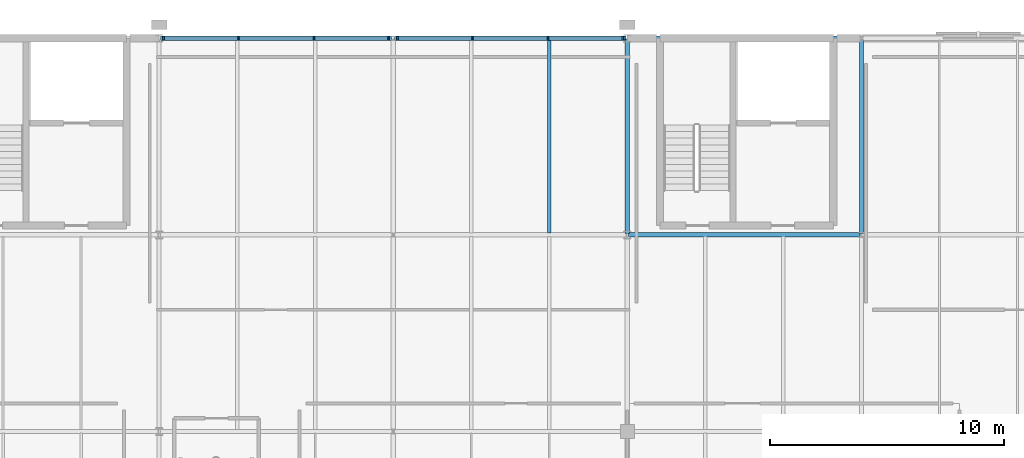
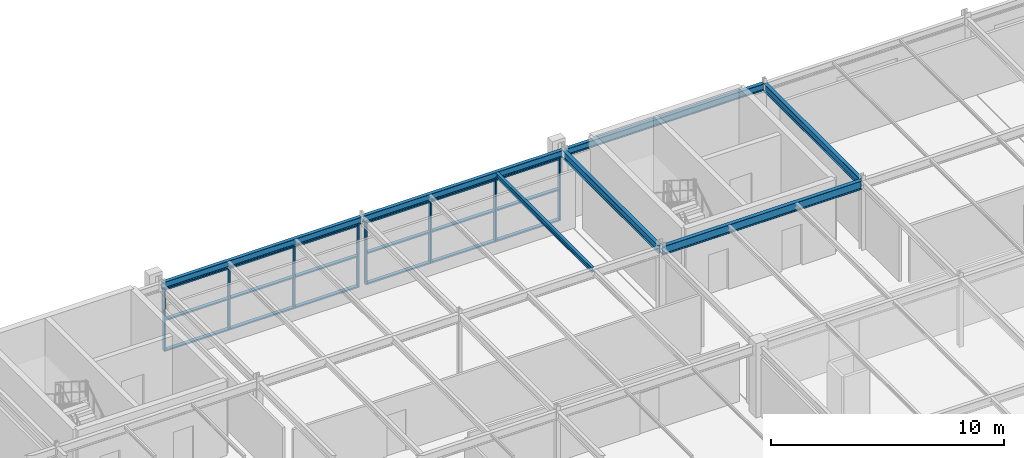
# One storey, part 57 of 98: 26 members, 7 beams, 2 elements without a shape of their own.
"""IFC4 building model written with IfcOpenShell, lengths in metres."""

from ifc_helpers import new_model, si_unit, derived_unit, direction, frame, origin, origin_2d_with_axis, place, context, subcontext, project, spatial, rectangle, i_section, extrude, material, material_profile, profile_set, type_object, element, aggregate, save


model = new_model("IFC4")

# Units and contexts
model_context = context("Model", 3, precision=1e-05, world=origin(), true_north=direction((0.0, 1.0)))
body_context = subcontext(model_context, "Body", "Model", "MODEL_VIEW")
ifc_project = project(units=[si_unit("LENGTHUNIT", "METRE"), si_unit("AREAUNIT", "SQUARE_METRE"), si_unit("VOLUMEUNIT", "CUBIC_METRE"), si_unit("PLANEANGLEUNIT", "RADIAN"), si_unit("MASSUNIT", "GRAM", prefix="KILO"), derived_unit("THERMALTRANSMITTANCEUNIT", [(si_unit("POWERUNIT", "WATT"), 1), (si_unit("LENGTHUNIT", "METRE"), -2), (si_unit("THERMODYNAMICTEMPERATUREUNIT", "KELVIN"), -1)])], contexts=[model_context])

# Site, building, storey
site_placement = place(None, origin())
site = spatial("IfcSite", under=ifc_project, at=site_placement, CompositionType="ELEMENT")
building_placement = place(site_placement, origin())
building = spatial("IfcBuilding", under=site, at=building_placement, Name="Cinnabar Yard Market Hall", CompositionType="ELEMENT")
storey_placement = place(building_placement, frame((0.0, 0.0, 4.5)))
storey = spatial("IfcBuildingStorey", under=building, at=storey_placement, Name="L01", CompositionType="ELEMENT", Elevation=4.5)

# Beams
ifc_material_1 = material(Name="Steel Grade 300 (300 MPa)", Category="steel")
ifc_material_profile_1 = material_profile(ifc_material_1, i_section(OverallWidth=0.18994140625, OverallDepth=0.453857421875, WebThickness=0.008544921875, FlangeThickness=0.0126953125, FilletRadius=0.011474609375, at=origin_2d_with_axis()), Name="460UB67.1")
ifc_profile_set_1 = profile_set([ifc_material_profile_1], Name="Steel Grade 300 (300 MPa)")
beam_type_1 = type_object("IfcBeamType", Name="BM-B05", PredefinedType="BEAM", material=ifc_profile_set_1)
beam_1_placement = place(storey_placement, frame((126.06005859375, 129.60009765625, 3.423095703125), z_axis=(1.0, 0.0, 0.0), x_axis=(0.0, 1.0, 0.0)))
element("IfcBeam", 1, at=beam_1_placement, inside=storey, type_object=beam_type_1, Name="V3 L01 Girder X 01056", PredefinedType="BEAM", context=body_context, shape_type="SweptSolid", body=[
    extrude(i_section(OverallWidth=0.18994140625, OverallDepth=0.453857421875, WebThickness=0.008544921875, FlangeThickness=0.0126953125, FilletRadius=0.011474609375, at=origin_2d_with_axis()), origin(), (0.0, 0.0, 1.0), 9.8798828125),
])
ifc_material_profile_2 = material_profile(ifc_material_1, i_section(OverallWidth=0.177978515625, OverallDepth=0.406494140625, WebThickness=0.0078125, FlangeThickness=0.0126953125, FilletRadius=0.011474609375, at=origin_2d_with_axis()), Name="410UB59.7")
ifc_profile_set_2 = profile_set([ifc_material_profile_2], Name="Steel Grade 300 (300 MPa)")
beam_type_2 = type_object("IfcBeamType", Name="BM-B06", PredefinedType="BEAM", material=ifc_profile_set_2)
for number, where, z_axis, x_axis, name in (
    (2, (126.0, 129.659912109375, 3.44677734375), (0.0, 1.0, 0.0), (-1.0, 0.0, 0.0), "V3 L01 Girder Y 01100"),
    (3, (136.0, 129.659912109375, 3.44677734375), (0.0, 1.0, 0.0), (-1.0, 0.0, 0.0), "V3 L01 Girder Y 01104"),
):
    element("IfcBeam", number, at=place(storey_placement, frame(where, z_axis=z_axis, x_axis=x_axis)), inside=storey, type_object=beam_type_2, Name=name, PredefinedType="BEAM", context=body_context, shape_type="SweptSolid", body=[
        extrude(i_section(OverallWidth=0.177978515625, OverallDepth=0.406494140625, WebThickness=0.0078125, FlangeThickness=0.0126953125, FilletRadius=0.011474609375, at=origin_2d_with_axis()), origin(), (0.0, 0.0, 1.0), 8.280029296875),
    ])
ifc_material_profile_3 = material_profile(ifc_material_1, i_section(OverallWidth=0.14599609375, OverallDepth=0.256103515625, WebThickness=0.00634765625, FlangeThickness=0.010986328125, FilletRadius=0.0087890625, at=origin_2d_with_axis()), Name="250UB37.3")
ifc_profile_set_3 = profile_set([ifc_material_profile_3], Name="Steel Grade 300 (300 MPa)")
beam_type_3 = type_object("IfcBeamType", Name="BM-J03", PredefinedType="JOIST", material=ifc_profile_set_3)
beam_2_placement = place(storey_placement, frame((122.666748046875, 129.675048828125, 3.52197265625), z_axis=(0.0, 1.0, 0.0), x_axis=(-1.0, 0.0, 0.0)))
element("IfcBeam", 4, at=beam_2_placement, inside=storey, type_object=beam_type_3, Name="V3 L01 Joist 01161", PredefinedType="JOIST", context=body_context, shape_type="SweptSolid", body=[
    extrude(i_section(OverallWidth=0.14599609375, OverallDepth=0.256103515625, WebThickness=0.00634765625, FlangeThickness=0.010986328125, FilletRadius=0.0087890625, at=origin_2d_with_axis()), origin(), (0.0, 0.0, 1.0), 8.25),
])
ifc_material_profile_4 = material_profile(ifc_material_1, i_section(OverallWidth=0.172119140625, OverallDepth=0.358642578125, WebThickness=0.008056640625, FlangeThickness=0.012939453125, FilletRadius=0.011474609375, at=origin_2d_with_axis()), Name="360UB56.7")
ifc_profile_set_4 = profile_set([ifc_material_profile_4], Name="Steel Grade 300 (300 MPa)")
beam_type_4 = type_object("IfcBeamType", Name="BM-SP02E", PredefinedType="SPANDREL", material=ifc_profile_set_4)
for number, where, z_axis, x_axis, name in (
    (5, (106.06005859375, 138.0, 3.470703125), (1.0, 0.0, 0.0), (0.0, 1.0, 0.0), "V3 L01 Girder X 01047"),
    (6, (116.06005859375, 138.0, 3.470703125), (1.0, 0.0, 0.0), (0.0, 1.0, 0.0), "V3 L01 Girder X 01052"),
    (7, (126.06005859375, 138.0, 3.470703125), (1.0, 0.0, 0.0), (0.0, 1.0, 0.0), "V3 L01 Girder X 01057"),
):
    element("IfcBeam", number, at=place(storey_placement, frame(where, z_axis=z_axis, x_axis=x_axis)), inside=storey, type_object=beam_type_4, Name=name, PredefinedType="SPANDREL", context=body_context, shape_type="SweptSolid", body=[
        extrude(i_section(OverallWidth=0.172119140625, OverallDepth=0.358642578125, WebThickness=0.008056640625, FlangeThickness=0.012939453125, FilletRadius=0.011474609375, at=origin_2d_with_axis()), origin(), (0.0, 0.0, 1.0), 9.8798828125),
    ])

# Curtain wall, members
ifc_material_2 = material(Name="Anodised bronze aluminium courtyard facade", Category="aluminium")
curtain_wall_type = type_object("IfcCurtainWallType", Name="CW-CWF097x33", PredefinedType="NOTDEFINED", material=ifc_material_2)
curtain_wall_1_placement = place(storey_placement, origin())
curtain_wall_1 = element("IfcCurtainWall", 8, at=curtain_wall_1_placement, inside=storey, type_object=curtain_wall_type, Name="Wing North Pishtaq Glazing L01 Bay 5", PredefinedType="NOTDEFINED")
ifc_material_3 = material(Name="Anodised bronze aluminium", Category="aluminium")
ifc_material_profile_5 = material_profile(ifc_material_3, rectangle(XDim=0.179931640625, YDim=0.074951171875, at=origin_2d_with_axis()), Name="MUL-CWF")
ifc_profile_set_5 = profile_set([ifc_material_profile_5], Name="Anodised bronze aluminium")
member_type_1 = type_object("IfcMemberType", Name="CWM-CWF", PredefinedType="MULLION", material=ifc_profile_set_5)
member_1_placement = place(storey_placement, frame((115.802490234375, 138.0, 0.0), z_axis=(0.0, 0.0, 1.0), x_axis=(0.0, -1.0, 0.0)))
member_1 = element("IfcMember", 9, at=member_1_placement, type_object=member_type_1, Name="CWF097x33 mullion 1", PredefinedType="MULLION", context=body_context, shape_type="SweptSolid", body=[
    extrude(rectangle(XDim=0.179931640625, YDim=0.074951171875, at=origin_2d_with_axis()), origin(), (0.0, 0.0, 1.0), 3.2900390625),
])
member_2_placement = place(storey_placement, frame((112.61328125, 138.0, 0.0), z_axis=(0.0, 0.0, 1.0), x_axis=(0.0, -1.0, 0.0)))
member_2 = element("IfcMember", 10, at=member_2_placement, type_object=member_type_1, Name="CWF097x33 mullion 2", PredefinedType="MULLION", context=body_context, shape_type="SweptSolid", body=[
    extrude(rectangle(XDim=0.179931640625, YDim=0.074951171875, at=origin_2d_with_axis()), origin(), (0.0, 0.0, 1.0), 3.2900390625),
])
member_3_placement = place(storey_placement, frame((109.38671875, 138.0, 0.0), z_axis=(0.0, 0.0, 1.0), x_axis=(0.0, -1.0, 0.0)))
member_3 = element("IfcMember", 11, at=member_3_placement, type_object=member_type_1, Name="CWF097x33 mullion 3", PredefinedType="MULLION", context=body_context, shape_type="SweptSolid", body=[
    extrude(rectangle(XDim=0.179931640625, YDim=0.074951171875, at=origin_2d_with_axis()), origin(), (0.0, 0.0, 1.0), 3.2900390625),
])
member_4_placement = place(storey_placement, frame((106.197509765625, 138.0, 0.0), z_axis=(0.0, 0.0, 1.0), x_axis=(0.0, -1.0, 0.0)))
member_4 = element("IfcMember", 12, at=member_4_placement, type_object=member_type_1, Name="CWF097x33 mullion 4", PredefinedType="MULLION", context=body_context, shape_type="SweptSolid", body=[
    extrude(rectangle(XDim=0.179931640625, YDim=0.074951171875, at=origin_2d_with_axis()), origin(), (0.0, 0.0, 1.0), 3.2900390625),
])

curtain_wall_2_placement = place(storey_placement, origin())
curtain_wall_2 = element("IfcCurtainWall", 13, at=curtain_wall_2_placement, inside=storey, type_object=curtain_wall_type, Name="Wing North Pishtaq Glazing L01 Bay 6", PredefinedType="NOTDEFINED")
member_5_placement = place(storey_placement, frame((125.802490234375, 138.0, 0.0), z_axis=(0.0, 0.0, 1.0), x_axis=(0.0, -1.0, 0.0)))
member_5 = element("IfcMember", 14, at=member_5_placement, type_object=member_type_1, Name="CWF097x33 mullion 1", PredefinedType="MULLION", context=body_context, shape_type="SweptSolid", body=[
    extrude(rectangle(XDim=0.179931640625, YDim=0.074951171875, at=origin_2d_with_axis()), origin(), (0.0, 0.0, 1.0), 3.2900390625),
])
member_6_placement = place(storey_placement, frame((122.61328125, 138.0, 0.0), z_axis=(0.0, 0.0, 1.0), x_axis=(0.0, -1.0, 0.0)))
member_6 = element("IfcMember", 15, at=member_6_placement, type_object=member_type_1, Name="CWF097x33 mullion 2", PredefinedType="MULLION", context=body_context, shape_type="SweptSolid", body=[
    extrude(rectangle(XDim=0.179931640625, YDim=0.074951171875, at=origin_2d_with_axis()), origin(), (0.0, 0.0, 1.0), 3.2900390625),
])
member_7_placement = place(storey_placement, frame((119.38671875, 138.0, 0.0), z_axis=(0.0, 0.0, 1.0), x_axis=(0.0, -1.0, 0.0)))
member_7 = element("IfcMember", 16, at=member_7_placement, type_object=member_type_1, Name="CWF097x33 mullion 3", PredefinedType="MULLION", context=body_context, shape_type="SweptSolid", body=[
    extrude(rectangle(XDim=0.179931640625, YDim=0.074951171875, at=origin_2d_with_axis()), origin(), (0.0, 0.0, 1.0), 3.2900390625),
])
member_8_placement = place(storey_placement, frame((116.197509765625, 138.0, 0.0), z_axis=(0.0, 0.0, 1.0), x_axis=(0.0, -1.0, 0.0)))
member_8 = element("IfcMember", 17, at=member_8_placement, type_object=member_type_1, Name="CWF097x33 mullion 4", PredefinedType="MULLION", context=body_context, shape_type="SweptSolid", body=[
    extrude(rectangle(XDim=0.179931640625, YDim=0.074951171875, at=origin_2d_with_axis()), origin(), (0.0, 0.0, 1.0), 3.2900390625),
])

# Member
ifc_material_profile_6 = material_profile(ifc_material_3, rectangle(XDim=0.179931640625, YDim=0.074951171875, at=origin_2d_with_axis()), Name="TRN-CWF")
ifc_profile_set_6 = profile_set([ifc_material_profile_6], Name="Anodised bronze aluminium")
member_type_2 = type_object("IfcMemberType", Name="CWT-CWF", PredefinedType="USERDEFINED", material=ifc_profile_set_6)
member_9_placement = place(storey_placement, frame((115.764892578125, 138.0, 0.03759765625), z_axis=(-1.0, 0.0, 0.0), x_axis=(0.0, -1.0, 0.0)))
member_9 = element("IfcMember", 18, at=member_9_placement, type_object=member_type_2, Name="CWF097x33 transom 1.1", ObjectType="TRANSOM", PredefinedType="USERDEFINED", context=body_context, shape_type="SweptSolid", body=[
    extrude(rectangle(XDim=0.179931640625, YDim=0.074951171875, at=origin_2d_with_axis()), origin(), (0.0, 0.0, 1.0), 3.114013671875),
])

member_10_placement = place(storey_placement, frame((115.764892578125, 138.0, 1.64501953125), z_axis=(-1.0, 0.0, 0.0), x_axis=(0.0, -1.0, 0.0)))
member_10 = element("IfcMember", 19, at=member_10_placement, type_object=member_type_2, Name="CWF097x33 transom 1.2", ObjectType="TRANSOM", PredefinedType="USERDEFINED", context=body_context, shape_type="SweptSolid", body=[
    extrude(rectangle(XDim=0.179931640625, YDim=0.074951171875, at=origin_2d_with_axis()), origin(), (0.0, 0.0, 1.0), 3.114013671875),
])

member_11_placement = place(storey_placement, frame((115.764892578125, 138.0, 3.25244140625), z_axis=(-1.0, 0.0, 0.0), x_axis=(0.0, -1.0, 0.0)))
member_11 = element("IfcMember", 20, at=member_11_placement, type_object=member_type_2, Name="CWF097x33 transom 1.3", ObjectType="TRANSOM", PredefinedType="USERDEFINED", context=body_context, shape_type="SweptSolid", body=[
    extrude(rectangle(XDim=0.179931640625, YDim=0.074951171875, at=origin_2d_with_axis()), origin(), (0.0, 0.0, 1.0), 3.114013671875),
])

member_12_placement = place(storey_placement, frame((112.575927734375, 138.0, 0.03759765625), z_axis=(-1.0, 0.0, 0.0), x_axis=(0.0, -1.0, 0.0)))
member_12 = element("IfcMember", 21, at=member_12_placement, type_object=member_type_2, Name="CWF097x33 transom 2.1", ObjectType="TRANSOM", PredefinedType="USERDEFINED", context=body_context, shape_type="SweptSolid", body=[
    extrude(rectangle(XDim=0.179931640625, YDim=0.074951171875, at=origin_2d_with_axis()), origin(), (0.0, 0.0, 1.0), 3.15185546875),
])

member_13_placement = place(storey_placement, frame((112.575927734375, 138.0, 1.64501953125), z_axis=(-1.0, 0.0, 0.0), x_axis=(0.0, -1.0, 0.0)))
member_13 = element("IfcMember", 22, at=member_13_placement, type_object=member_type_2, Name="CWF097x33 transom 2.2", ObjectType="TRANSOM", PredefinedType="USERDEFINED", context=body_context, shape_type="SweptSolid", body=[
    extrude(rectangle(XDim=0.179931640625, YDim=0.074951171875, at=origin_2d_with_axis()), origin(), (0.0, 0.0, 1.0), 3.15185546875),
])

member_14_placement = place(storey_placement, frame((112.575927734375, 138.0, 3.25244140625), z_axis=(-1.0, 0.0, 0.0), x_axis=(0.0, -1.0, 0.0)))
member_14 = element("IfcMember", 23, at=member_14_placement, type_object=member_type_2, Name="CWF097x33 transom 2.3", ObjectType="TRANSOM", PredefinedType="USERDEFINED", context=body_context, shape_type="SweptSolid", body=[
    extrude(rectangle(XDim=0.179931640625, YDim=0.074951171875, at=origin_2d_with_axis()), origin(), (0.0, 0.0, 1.0), 3.15185546875),
])

member_15_placement = place(storey_placement, frame((109.34912109375, 138.0, 0.03759765625), z_axis=(-1.0, 0.0, 0.0), x_axis=(0.0, -1.0, 0.0)))
member_15 = element("IfcMember", 24, at=member_15_placement, type_object=member_type_2, Name="CWF097x33 transom 3.1", ObjectType="TRANSOM", PredefinedType="USERDEFINED", context=body_context, shape_type="SweptSolid", body=[
    extrude(rectangle(XDim=0.179931640625, YDim=0.074951171875, at=origin_2d_with_axis()), origin(), (0.0, 0.0, 1.0), 3.114013671875),
])

member_16_placement = place(storey_placement, frame((109.34912109375, 138.0, 1.64501953125), z_axis=(-1.0, 0.0, 0.0), x_axis=(0.0, -1.0, 0.0)))
member_16 = element("IfcMember", 25, at=member_16_placement, type_object=member_type_2, Name="CWF097x33 transom 3.2", ObjectType="TRANSOM", PredefinedType="USERDEFINED", context=body_context, shape_type="SweptSolid", body=[
    extrude(rectangle(XDim=0.179931640625, YDim=0.074951171875, at=origin_2d_with_axis()), origin(), (0.0, 0.0, 1.0), 3.114013671875),
])

member_17_placement = place(storey_placement, frame((109.34912109375, 138.0, 3.25244140625), z_axis=(-1.0, 0.0, 0.0), x_axis=(0.0, -1.0, 0.0)))
member_17 = element("IfcMember", 26, at=member_17_placement, type_object=member_type_2, Name="CWF097x33 transom 3.3", ObjectType="TRANSOM", PredefinedType="USERDEFINED", context=body_context, shape_type="SweptSolid", body=[
    extrude(rectangle(XDim=0.179931640625, YDim=0.074951171875, at=origin_2d_with_axis()), origin(), (0.0, 0.0, 1.0), 3.114013671875),
])

aggregate(curtain_wall_1, [member_1, member_2, member_3, member_4, member_9, member_10, member_11, member_12, member_13, member_14, member_15, member_16, member_17])

member_18_placement = place(storey_placement, frame((125.764892578125, 138.0, 0.03759765625), z_axis=(-1.0, 0.0, 0.0), x_axis=(0.0, -1.0, 0.0)))
member_18 = element("IfcMember", 27, at=member_18_placement, type_object=member_type_2, Name="CWF097x33 transom 1.1", ObjectType="TRANSOM", PredefinedType="USERDEFINED", context=body_context, shape_type="SweptSolid", body=[
    extrude(rectangle(XDim=0.179931640625, YDim=0.074951171875, at=origin_2d_with_axis()), origin(), (0.0, 0.0, 1.0), 3.114013671875),
])

member_19_placement = place(storey_placement, frame((125.764892578125, 138.0, 1.64501953125), z_axis=(-1.0, 0.0, 0.0), x_axis=(0.0, -1.0, 0.0)))
member_19 = element("IfcMember", 28, at=member_19_placement, type_object=member_type_2, Name="CWF097x33 transom 1.2", ObjectType="TRANSOM", PredefinedType="USERDEFINED", context=body_context, shape_type="SweptSolid", body=[
    extrude(rectangle(XDim=0.179931640625, YDim=0.074951171875, at=origin_2d_with_axis()), origin(), (0.0, 0.0, 1.0), 3.114013671875),
])

member_20_placement = place(storey_placement, frame((125.764892578125, 138.0, 3.25244140625), z_axis=(-1.0, 0.0, 0.0), x_axis=(0.0, -1.0, 0.0)))
member_20 = element("IfcMember", 29, at=member_20_placement, type_object=member_type_2, Name="CWF097x33 transom 1.3", ObjectType="TRANSOM", PredefinedType="USERDEFINED", context=body_context, shape_type="SweptSolid", body=[
    extrude(rectangle(XDim=0.179931640625, YDim=0.074951171875, at=origin_2d_with_axis()), origin(), (0.0, 0.0, 1.0), 3.114013671875),
])

member_21_placement = place(storey_placement, frame((122.575927734375, 138.0, 0.03759765625), z_axis=(-1.0, 0.0, 0.0), x_axis=(0.0, -1.0, 0.0)))
member_21 = element("IfcMember", 30, at=member_21_placement, type_object=member_type_2, Name="CWF097x33 transom 2.1", ObjectType="TRANSOM", PredefinedType="USERDEFINED", context=body_context, shape_type="SweptSolid", body=[
    extrude(rectangle(XDim=0.179931640625, YDim=0.074951171875, at=origin_2d_with_axis()), origin(), (0.0, 0.0, 1.0), 3.15185546875),
])

member_22_placement = place(storey_placement, frame((122.575927734375, 138.0, 1.64501953125), z_axis=(-1.0, 0.0, 0.0), x_axis=(0.0, -1.0, 0.0)))
member_22 = element("IfcMember", 31, at=member_22_placement, type_object=member_type_2, Name="CWF097x33 transom 2.2", ObjectType="TRANSOM", PredefinedType="USERDEFINED", context=body_context, shape_type="SweptSolid", body=[
    extrude(rectangle(XDim=0.179931640625, YDim=0.074951171875, at=origin_2d_with_axis()), origin(), (0.0, 0.0, 1.0), 3.15185546875),
])

member_23_placement = place(storey_placement, frame((122.575927734375, 138.0, 3.25244140625), z_axis=(-1.0, 0.0, 0.0), x_axis=(0.0, -1.0, 0.0)))
member_23 = element("IfcMember", 32, at=member_23_placement, type_object=member_type_2, Name="CWF097x33 transom 2.3", ObjectType="TRANSOM", PredefinedType="USERDEFINED", context=body_context, shape_type="SweptSolid", body=[
    extrude(rectangle(XDim=0.179931640625, YDim=0.074951171875, at=origin_2d_with_axis()), origin(), (0.0, 0.0, 1.0), 3.15185546875),
])

member_24_placement = place(storey_placement, frame((119.34912109375, 138.0, 0.03759765625), z_axis=(-1.0, 0.0, 0.0), x_axis=(0.0, -1.0, 0.0)))
member_24 = element("IfcMember", 33, at=member_24_placement, type_object=member_type_2, Name="CWF097x33 transom 3.1", ObjectType="TRANSOM", PredefinedType="USERDEFINED", context=body_context, shape_type="SweptSolid", body=[
    extrude(rectangle(XDim=0.179931640625, YDim=0.074951171875, at=origin_2d_with_axis()), origin(), (0.0, 0.0, 1.0), 3.114013671875),
])

member_25_placement = place(storey_placement, frame((119.34912109375, 138.0, 1.64501953125), z_axis=(-1.0, 0.0, 0.0), x_axis=(0.0, -1.0, 0.0)))
member_25 = element("IfcMember", 34, at=member_25_placement, type_object=member_type_2, Name="CWF097x33 transom 3.2", ObjectType="TRANSOM", PredefinedType="USERDEFINED", context=body_context, shape_type="SweptSolid", body=[
    extrude(rectangle(XDim=0.179931640625, YDim=0.074951171875, at=origin_2d_with_axis()), origin(), (0.0, 0.0, 1.0), 3.114013671875),
])

member_26_placement = place(storey_placement, frame((119.34912109375, 138.0, 3.25244140625), z_axis=(-1.0, 0.0, 0.0), x_axis=(0.0, -1.0, 0.0)))
member_26 = element("IfcMember", 35, at=member_26_placement, type_object=member_type_2, Name="CWF097x33 transom 3.3", ObjectType="TRANSOM", PredefinedType="USERDEFINED", context=body_context, shape_type="SweptSolid", body=[
    extrude(rectangle(XDim=0.179931640625, YDim=0.074951171875, at=origin_2d_with_axis()), origin(), (0.0, 0.0, 1.0), 3.114013671875),
])

aggregate(curtain_wall_2, [member_5, member_6, member_7, member_8, member_18, member_19, member_20, member_21, member_22, member_23, member_24, member_25, member_26])

save(model, "model.ifc")
